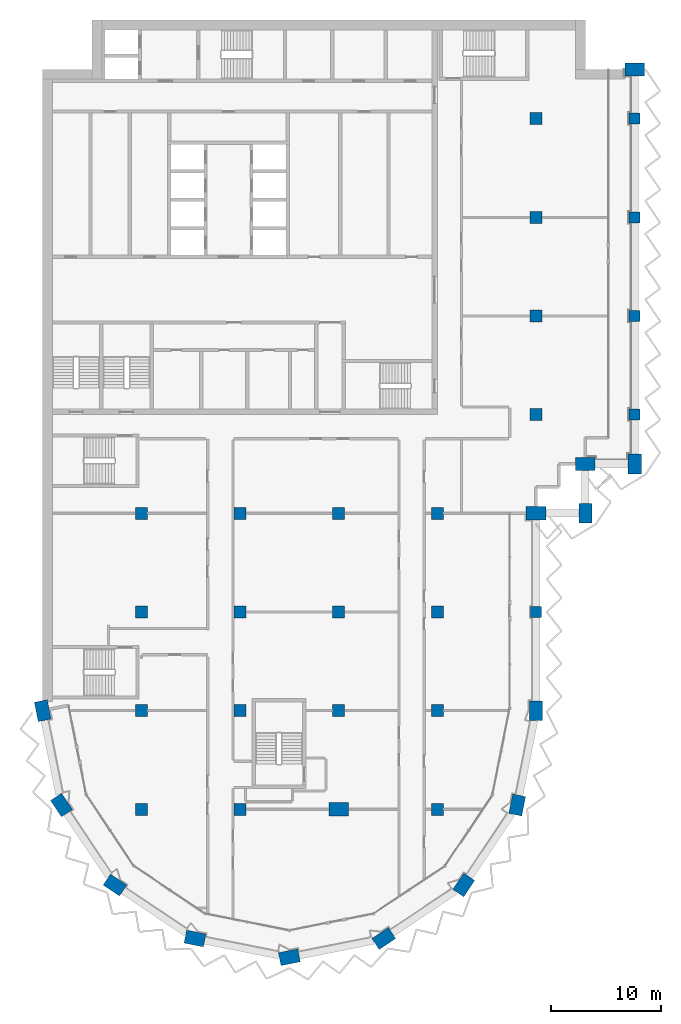
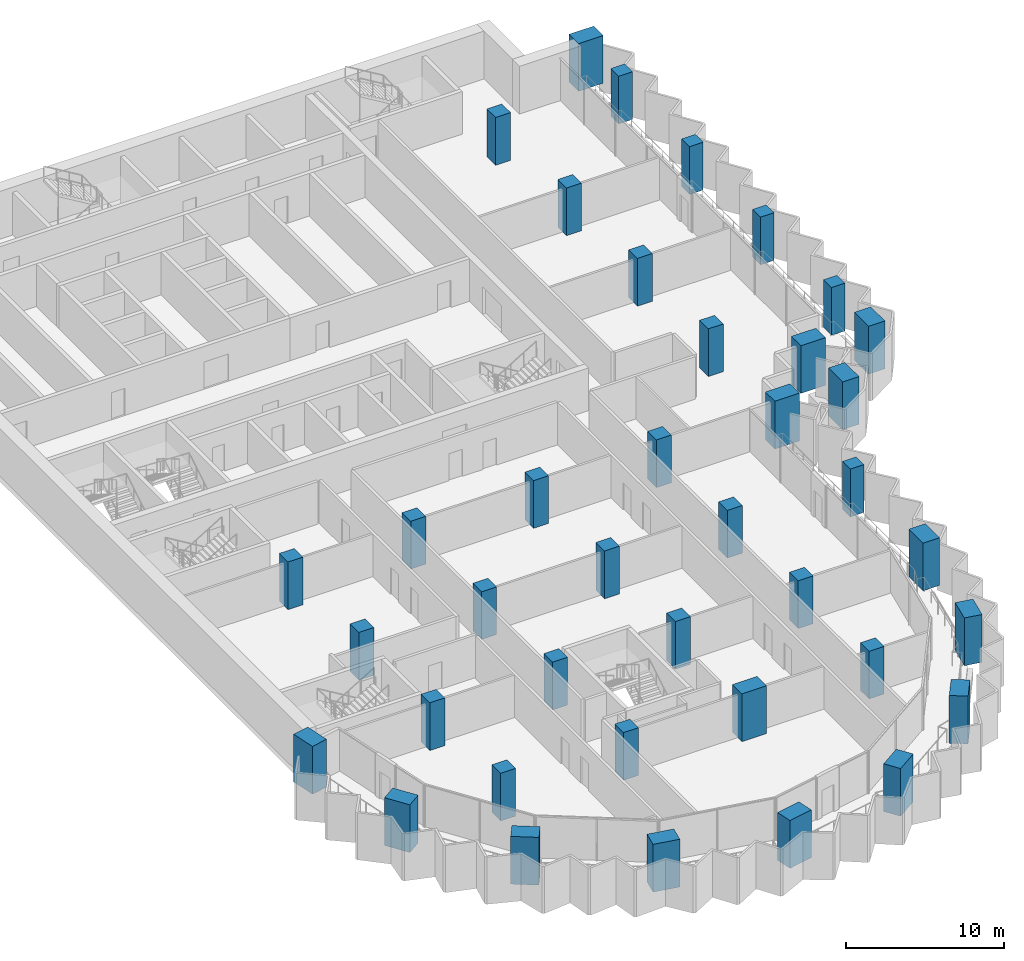
# One storey, part 1 of 17: 39 columns.
"""IFC4 building model written with IfcOpenShell, lengths in metres."""

import ifcopenshell
import ifcopenshell.guid

model = None  # the IFC model being written
_history = None  # IfcOwnerHistory: only IFC2X3 demands one
_inside = {}  # id of a spatial element -> (the spatial element, [elements in it])
_under = {}  # id of a project, library or spatial element -> (it, [spatial elements below it])
_declared = {}  # id of a project -> (the project, [libraries it declares])
_typed = {}  # id of a type object -> (the type object, [elements of that type])
_made_of = {}  # id of a material, layer set ... -> (it, [elements and type objects made of it])


def new_model(schema):
    """Start an empty IFC model of exactly this schema.

    Asked for "IFC4X3", IfcOpenShell would pick the latest addendum, in which some entities
    have other attributes; the version numbers below select the first issue.
    IFC2X3 requires an IfcOwnerHistory on every rooted entity: one is made here for all.
    """
    global model, _history
    if schema == "IFC4X3":
        model = ifcopenshell.file(schema_version=(4, 3, 0, 0))
    else:
        model = ifcopenshell.file(schema=schema)
    _inside.clear()
    _under.clear()
    _declared.clear()
    _typed.clear()
    _made_of.clear()
    _history = None
    if model.schema == "IFC2X3":
        org = make("IfcOrganization", Name="unknown")
        user = make(
            "IfcPersonAndOrganization",
            ThePerson=make("IfcPerson", FamilyName="unknown"),
            TheOrganization=org,
        )
        app = make(
            "IfcApplication",
            ApplicationDeveloper=org,
            Version="unknown",
            ApplicationFullName="unknown",
            ApplicationIdentifier="unknown",
        )
        _history = make(
            "IfcOwnerHistory",
            OwningUser=user,
            OwningApplication=app,
            ChangeAction="ADDED",
            CreationDate=0,
        )
    return model


def make(cls, **values):
    """One entity of the class cls with the attributes given. An attribute that is None is left unset."""
    return model.create_entity(
        cls, **{name: value for name, value in values.items() if value is not None}
    )


def rooted(cls, **values):
    """An entity with a GlobalId (a new one), such as an element, a storey or a relation."""
    return make(cls, GlobalId=ifcopenshell.guid.new(), OwnerHistory=_history, **values)


def si_unit(unit_type, name, prefix=None):
    """IfcSIUnit, for example si_unit("LENGTHUNIT", "METRE", prefix="MILLI")."""
    return make("IfcSIUnit", UnitType=unit_type, Prefix=prefix, Name=name)


def assignment(units):
    """IfcUnitAssignment: the units of a project."""
    return None if units is None else make("IfcUnitAssignment", Units=units)


def point(xyz):
    """IfcCartesianPoint."""
    return None if xyz is None else make("IfcCartesianPoint", Coordinates=xyz)


def direction(xyz):
    """IfcDirection."""
    return None if xyz is None else make("IfcDirection", DirectionRatios=xyz)


def frame(location, z_axis=None, x_axis=None):
    """IfcAxis2Placement3D, a coordinate frame: its origin and axes. An axis left out is left unset."""
    return make(
        "IfcAxis2Placement3D",
        Location=point(location),
        Axis=direction(z_axis),
        RefDirection=direction(x_axis),
    )


def frame_2d(location, x_axis=None):
    """IfcAxis2Placement2D, a coordinate frame in the plane: its origin and x axis."""
    return make(
        "IfcAxis2Placement2D", Location=point(location), RefDirection=direction(x_axis)
    )


def origin():
    """The frame at (0, 0, 0) with its axes left unset."""
    return frame((0.0, 0.0, 0.0))


def origin_2d():
    """The frame at (0, 0) in the plane with its x axis left unset."""
    return frame_2d((0.0, 0.0))


def place(relative_to, where):
    """IfcLocalPlacement: puts the frame where relative to a parent placement (None: the world)."""
    return make(
        "IfcLocalPlacement", PlacementRelTo=relative_to, RelativePlacement=where
    )


def context(
    kind, dimensions, precision=None, world=None, true_north=None, identifier=None
):
    """IfcGeometricRepresentationContext, for example the 3D "Model" context."""
    return make(
        "IfcGeometricRepresentationContext",
        ContextIdentifier=identifier,
        ContextType=kind,
        CoordinateSpaceDimension=dimensions,
        Precision=precision,
        WorldCoordinateSystem=world,
        TrueNorth=true_north,
    )


def subcontext(parent, identifier, kind, view, scale=None):
    """IfcGeometricRepresentationSubContext, for example "Body" below "Model"."""
    return make(
        "IfcGeometricRepresentationSubContext",
        ContextIdentifier=identifier,
        ContextType=kind,
        ParentContext=parent,
        TargetScale=scale,
        TargetView=view,
    )


def project(units=None, contexts=None):
    """IfcProject with its units and contexts."""
    return rooted(
        "IfcProject",
        Name="project",
        RepresentationContexts=contexts,
        UnitsInContext=assignment(units),
    )


def spatial(cls, under=None, at=None, **own):
    """A site, building, storey or space (cls), placed at a placement, below another one or the project."""
    s = rooted(cls, ObjectPlacement=at, **own)
    if under is not None:
        _under.setdefault(under.id(), (under, []))[1].append(s)
    return s


def profile(cls, at=None, kind="AREA", **sizes):
    """A parametric profile (cls). Its sizes go by their IFC names, for example OverallWidth=200.0."""
    return make(cls, ProfileType=kind, Position=at, **sizes)


def rectangle(**sizes):
    """IfcRectangleProfileDef."""
    return profile("IfcRectangleProfileDef", **sizes)


def extrude(swept, where, along, depth):
    """IfcExtrudedAreaSolid: the profile swept, set in the frame where, extruded along a direction by depth."""
    return make(
        "IfcExtrudedAreaSolid",
        SweptArea=swept,
        Position=where,
        ExtrudedDirection=direction(along),
        Depth=depth,
    )


def shape(context_of_items, identifier, shape_type, items):
    """IfcShapeRepresentation: the items that make up one representation, for example the "Body"."""
    return make(
        "IfcShapeRepresentation",
        ContextOfItems=context_of_items,
        RepresentationIdentifier=identifier,
        RepresentationType=shape_type,
        Items=items,
    )


def material(Name=None, Category=None):
    """IfcMaterial."""
    return make("IfcMaterial", Name=Name, Category=Category)


def material_profile(
    of_material, cross_section, Name=None, Category=None, Priority=None
):
    """IfcMaterialProfile: a cross section and its material."""
    return make(
        "IfcMaterialProfile",
        Name=Name,
        Material=of_material,
        Profile=cross_section,
        Priority=Priority,
        Category=Category,
    )


def profile_set(profiles, Name=None, composite=None):
    """IfcMaterialProfileSet."""
    return make(
        "IfcMaterialProfileSet",
        Name=Name,
        MaterialProfiles=profiles,
        CompositeProfile=composite,
    )


def made_of(thing, what):
    """Note that an element or type object is made of a material, layer set ...; save() writes the relation."""
    if what is not None:
        _made_of.setdefault(what.id(), (what, []))[1].append(thing)
    return thing


def type_object(cls, material=None, **own):
    """A type object (cls), such as IfcWallType, which elements share."""
    return made_of(rooted(cls, **own), material)


def element(
    cls,
    number,
    at=None,
    inside=None,
    cuts=None,
    type_object=None,
    material=None,
    context=None,
    identifier="Body",
    shape_type=None,
    held_by="IfcProductDefinitionShape",
    body=None,
    shapes=None,
    **own,
):
    """One element of the class cls, such as IfcWall. Its Tag is "e" and its number.

    at: its placement. inside: the storey or other place that contains it. cuts: it is an
    opening in that element (IfcRelVoidsElement). A single representation is given by context,
    identifier, shape_type and body (its items); several are given by shapes. held_by: the class
    of the entity that holds the representations. save() writes the other relations.
    """
    e = rooted(cls, Tag="e%d" % number, ObjectPlacement=at, **own)
    if body is not None:
        shapes = [shape(context, identifier, shape_type, body)]
    if shapes is not None:
        e.Representation = make(held_by, Representations=shapes)
    if inside is not None:
        _inside.setdefault(inside.id(), (inside, []))[1].append(e)
    if cuts is not None:
        rooted(
            "IfcRelVoidsElement", RelatingBuildingElement=cuts, RelatedOpeningElement=e
        )
    if type_object is not None:
        _typed.setdefault(type_object.id(), (type_object, []))[1].append(e)
    return made_of(e, material)


def aggregate(whole, parts):
    """IfcRelAggregates: a whole, such as a stair, and the parts it consists of."""
    return rooted("IfcRelAggregates", RelatingObject=whole, RelatedObjects=parts)


def save(model, path):
    """Write the relations noted so far, then the file.

    IfcRelAggregates (storeys below a building ...), IfcRelContainedInSpatialStructure (elements
    in a storey), IfcRelDefinesByType, IfcRelAssociatesMaterial and IfcRelDeclares: one each for
    every whole, place, type object, material and project.
    """
    for whole, parts in _under.values():
        aggregate(whole, parts)
    for where, things in _inside.values():
        rooted(
            "IfcRelContainedInSpatialStructure",
            RelatedElements=things,
            RelatingStructure=where,
        )
    for kind, things in _typed.values():
        rooted("IfcRelDefinesByType", RelatedObjects=things, RelatingType=kind)
    for what, things in _made_of.values():
        rooted("IfcRelAssociatesMaterial", RelatedObjects=things, RelatingMaterial=what)
    for by, libraries in _declared.values():
        rooted("IfcRelDeclares", RelatingContext=by, RelatedDefinitions=libraries)
    model.write(path)


model = new_model("IFC4")

# Units and contexts
model_context = context("Model", 3, precision=1e-05, world=origin(), true_north=direction((0.0, 1.0)))
body_context = subcontext(model_context, "Body", "Model", "MODEL_VIEW")
ifc_project = project(units=[si_unit("LENGTHUNIT", "METRE"), si_unit("AREAUNIT", "SQUARE_METRE"), si_unit("VOLUMEUNIT", "CUBIC_METRE"), si_unit("PLANEANGLEUNIT", "RADIAN"), si_unit("MASSUNIT", "GRAM", prefix="KILO")], contexts=[model_context])

# Site, building, storey
site_placement = place(None, origin())
site = spatial("IfcSite", under=ifc_project, at=site_placement, CompositionType="ELEMENT")
building_placement = place(site_placement, origin())
building = spatial("IfcBuilding", under=site, at=building_placement, Name="Hunhe Ridgeline Campus", CompositionType="ELEMENT")
storey_placement = place(building_placement, frame((0.0, 0.0, 190.199951171875)))
storey = spatial("IfcBuildingStorey", under=building, at=storey_placement, Name="L48", CompositionType="ELEMENT", Elevation=190.199951171875)

# Columns
ifc_material = material(Name="Concrete C60", Category="concrete")
ifc_material_profile_1 = material_profile(ifc_material, rectangle(XDim=1.800048828125, YDim=1.199951171875, at=origin_2d()))
ifc_profile_set_1 = profile_set([ifc_material_profile_1], Name="Concrete C60")
column_type_1 = type_object("IfcColumnType", Name="Megacolumn 1800x1200 Concrete C60", PredefinedType="COLUMN", material=ifc_profile_set_1)
for number, where, z_axis, x_axis, name in (
    (1, (22.5, 13.5, 0.0), (0.0, 0.0, 1.0), (0.980785280403, 0.195090322016, 0.0), "Column C11 R6 L48"),
    (2, (13.8896484375, 15.212646484375, 0.0), (0.0, 0.0, 1.0), (-0.980785280403, 0.195090322016, 0.0), "Column C11 R7 L48"),
    (3, (31.1103515625, 15.212646484375, 0.0), (0.0, 0.0, 1.0), (0.831469612303, 0.55557023302, 0.0), "Column C11 R8 L48"),
    (4, (6.590087890625, 20.090087890625, 0.0), (0.0, 0.0, 1.0), (-0.831469612303, 0.55557023302, 0.0), "Column C11 R11 L48"),
    (5, (38.409912109375, 20.090087890625, 0.0), (0.0, 0.0, 1.0), (0.55557023302, 0.831469612303, 0.0), "Column C11 R12 L48"),
    (6, (1.712646484375, 27.3896484375, 0.0), (0.0, 0.0, 1.0), (-0.55557023302, 0.831469612303, 0.0), "Column C11 R16 L48"),
    (7, (43.287353515625, 27.3896484375, 0.0), (0.0, 0.0, 1.0), (0.195090322016, 0.980785280403, 0.0), "Column C11 R17 L48"),
    (8, (0.0, 36.0, 0.0), (0.0, 0.0, 1.0), (-0.195090322016, 0.980785280403, 0.0), "Column C11 E1 L48"),
    (9, (45.0, 36.0, 0.0), (0.0, 0.0, 1.0), (0.0, 1.0, 0.0), "Column C11 E6 L48"),
    (10, (45.0, 54.0, 0.0), (0.0, 0.0, 1.0), (1.0, 0.0, 0.0), "Column C11 G6 L48"),
    (11, (49.5, 54.0, 0.0), (0.0, 0.0, 1.0), (0.0, 1.0, 0.0), "Column C11 R29 L48"),
    (12, (49.5, 58.5, 0.0), (0.0, 0.0, 1.0), (1.0, 0.0, 0.0), "Column C11 R33 L48"),
    (13, (54.0, 58.5, 0.0), (0.0, 0.0, 1.0), (0.0, 1.0, 0.0), "Column C11 R34 L48"),
    (14, (54.0, 94.5, 0.0), (0.0, 0.0, 1.0), (1.0, 0.0, 0.0), "Column C11 R41 L48"),
    (15, (27.0, 27.0, 0.0), (0.0, 0.0, 1.0), (1.0, 0.0, 0.0), "Column C11 D4 L48"),
):
    element("IfcColumn", number, at=place(storey_placement, frame(where, z_axis=z_axis, x_axis=x_axis)), inside=storey, type_object=column_type_1, Name=name, PredefinedType="COLUMN", context=body_context, shape_type="SweptSolid", body=[
        extrude(rectangle(XDim=1.800048828125, YDim=1.199951171875, at=origin_2d()), origin(), (0.0, 0.0, 1.0), 3.699951171875),
    ])
ifc_material_profile_2 = material_profile(ifc_material, rectangle(XDim=1.0, YDim=1.0, at=origin_2d()))
ifc_profile_set_2 = profile_set([ifc_material_profile_2], Name="Concrete C60")
column_type_2 = type_object("IfcColumnType", Name="RC column 1000x1000 Concrete C60", PredefinedType="COLUMN", material=ifc_profile_set_2)
for number, where, z_axis, x_axis, name in (
    (16, (45.0, 45.0, 0.0), (0.0, 0.0, 1.0), (1.0, 0.0, 0.0), "Column C12 F6 L48"),
    (17, (54.0, 63.0, 0.0), (0.0, 0.0, 1.0), (1.0, 0.0, 0.0), "Column C12 H7 L48"),
    (18, (54.0, 72.0, 0.0), (0.0, 0.0, 1.0), (1.0, 0.0, 0.0), "Column C12 I7 L48"),
    (19, (54.0, 81.0, 0.0), (0.0, 0.0, 1.0), (1.0, 0.0, 0.0), "Column C12 J7 L48"),
    (20, (54.0, 90.0, 0.0), (0.0, 0.0, 1.0), (1.0, 0.0, 0.0), "Column C12 K7 L48"),
):
    element("IfcColumn", number, at=place(storey_placement, frame(where, z_axis=z_axis, x_axis=x_axis)), inside=storey, type_object=column_type_2, Name=name, PredefinedType="COLUMN", context=body_context, shape_type="SweptSolid", body=[
        extrude(rectangle(XDim=1.0, YDim=1.0, at=origin_2d()), origin(), (0.0, 0.0, 1.0), 3.699951171875),
    ])
ifc_material_profile_3 = material_profile(ifc_material, rectangle(XDim=1.10009765625, YDim=1.10009765625, at=origin_2d()))
ifc_profile_set_3 = profile_set([ifc_material_profile_3], Name="Concrete C60")
column_type_3 = type_object("IfcColumnType", Name="RC column 1100x1100 Concrete C60", PredefinedType="COLUMN", material=ifc_profile_set_3)
for number, where, z_axis, x_axis, name in (
    (21, (9.0, 27.0, 0.0), (0.0, 0.0, 1.0), (1.0, 0.0, 0.0), "Column C13 D2 L48"),
    (22, (9.0, 36.0, 0.0), (0.0, 0.0, 1.0), (1.0, 0.0, 0.0), "Column C13 E2 L48"),
    (23, (9.0, 45.0, 0.0), (0.0, 0.0, 1.0), (1.0, 0.0, 0.0), "Column C13 F2 L48"),
    (24, (9.0, 54.0, 0.0), (0.0, 0.0, 1.0), (1.0, 0.0, 0.0), "Column C13 G2 L48"),
    (25, (18.0, 27.0, 0.0), (0.0, 0.0, 1.0), (1.0, 0.0, 0.0), "Column C13 D3 L48"),
    (26, (18.0, 36.0, 0.0), (0.0, 0.0, 1.0), (1.0, 0.0, 0.0), "Column C13 E3 L48"),
    (27, (18.0, 45.0, 0.0), (0.0, 0.0, 1.0), (1.0, 0.0, 0.0), "Column C13 F3 L48"),
    (28, (18.0, 54.0, 0.0), (0.0, 0.0, 1.0), (1.0, 0.0, 0.0), "Column C13 G3 L48"),
    (29, (27.0, 36.0, 0.0), (0.0, 0.0, 1.0), (1.0, 0.0, 0.0), "Column C13 E4 L48"),
    (30, (27.0, 45.0, 0.0), (0.0, 0.0, 1.0), (1.0, 0.0, 0.0), "Column C13 F4 L48"),
    (31, (27.0, 54.0, 0.0), (0.0, 0.0, 1.0), (1.0, 0.0, 0.0), "Column C13 G4 L48"),
    (32, (36.0, 27.0, 0.0), (0.0, 0.0, 1.0), (1.0, 0.0, 0.0), "Column C13 D5 L48"),
    (33, (36.0, 36.0, 0.0), (0.0, 0.0, 1.0), (1.0, 0.0, 0.0), "Column C13 E5 L48"),
    (34, (36.0, 45.0, 0.0), (0.0, 0.0, 1.0), (1.0, 0.0, 0.0), "Column C13 F5 L48"),
    (35, (36.0, 54.0, 0.0), (0.0, 0.0, 1.0), (1.0, 0.0, 0.0), "Column C13 G5 L48"),
    (36, (45.0, 63.0, 0.0), (0.0, 0.0, 1.0), (1.0, 0.0, 0.0), "Column C13 H6 L48"),
    (37, (45.0, 72.0, 0.0), (0.0, 0.0, 1.0), (1.0, 0.0, 0.0), "Column C13 I6 L48"),
    (38, (45.0, 81.0, 0.0), (0.0, 0.0, 1.0), (1.0, 0.0, 0.0), "Column C13 J6 L48"),
    (39, (45.0, 90.0, 0.0), (0.0, 0.0, 1.0), (1.0, 0.0, 0.0), "Column C13 K6 L48"),
):
    element("IfcColumn", number, at=place(storey_placement, frame(where, z_axis=z_axis, x_axis=x_axis)), inside=storey, type_object=column_type_3, Name=name, PredefinedType="COLUMN", context=body_context, shape_type="SweptSolid", body=[
        extrude(rectangle(XDim=1.10009765625, YDim=1.10009765625, at=origin_2d()), origin(), (0.0, 0.0, 1.0), 3.699951171875),
    ])

save(model, "model.ifc")
